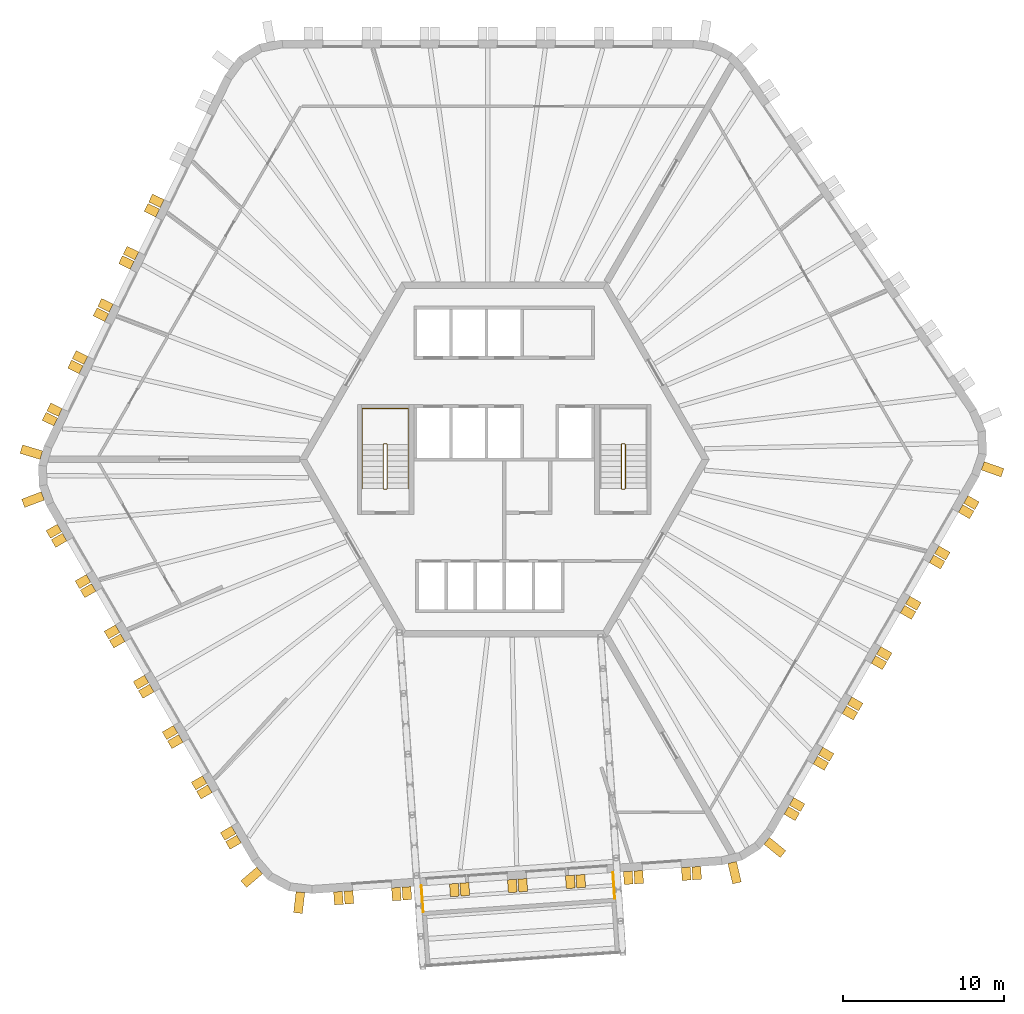
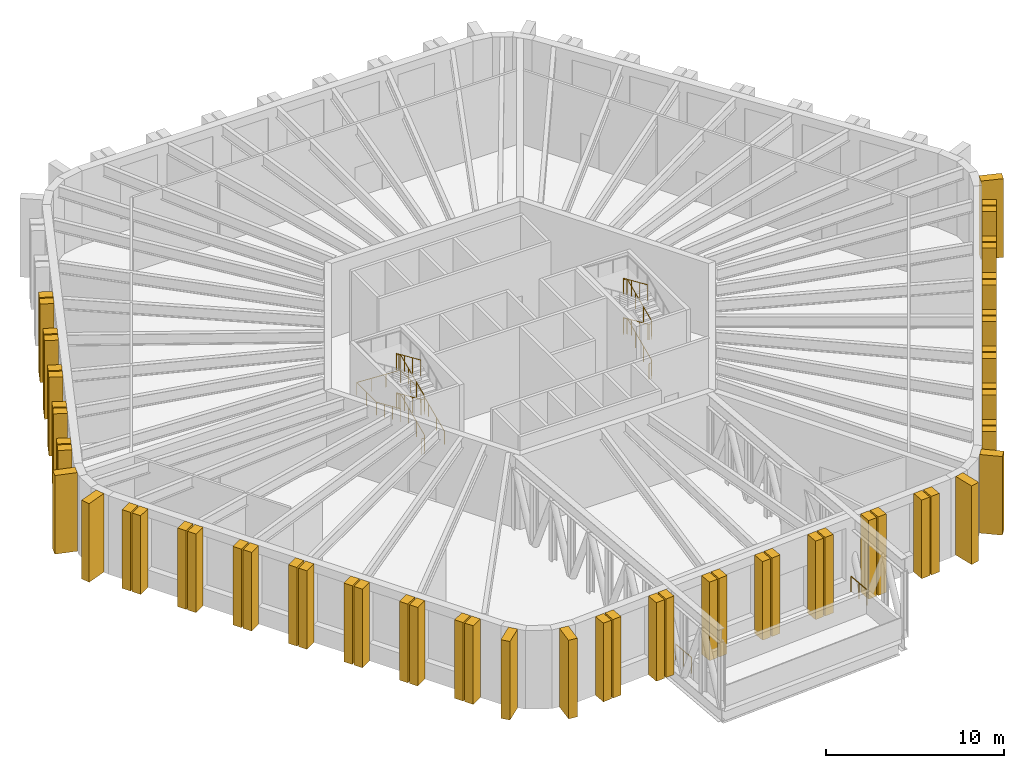
# One storey, part 8 of 9: 59 shading devices, 5 railings.
"""IFC4 building model written with IfcOpenShell, lengths in metres."""

from ifc_helpers import new_model, si_unit, direction, frame, origin, origin_2d, place, context, subcontext, project, spatial, polyline, circle, outline, extrude, material, layer, layer_set, type_object, element, save


model = new_model("IFC4")

# Units and contexts
model_context = context("Model", 3, precision=1e-05, world=origin(), true_north=direction((0.0, 1.0)))
body_context = subcontext(model_context, "Body", "Model", "MODEL_VIEW")
ifc_project = project(units=[si_unit("LENGTHUNIT", "METRE"), si_unit("AREAUNIT", "SQUARE_METRE"), si_unit("VOLUMEUNIT", "CUBIC_METRE"), si_unit("PLANEANGLEUNIT", "RADIAN"), si_unit("MASSUNIT", "GRAM", prefix="KILO")], contexts=[model_context])

# Site, building, storey
site_placement = place(None, origin())
site = spatial("IfcSite", under=ifc_project, at=site_placement, CompositionType="ELEMENT")
building_placement = place(site_placement, origin())
building = spatial("IfcBuilding", under=site, at=building_placement, Name="Tarnside Tower", CompositionType="ELEMENT")
storey_placement = place(building_placement, frame((0.0, 0.0, 338.10009765625)))
storey = spatial("IfcBuildingStorey", under=building, at=storey_placement, Name="L82", CompositionType="ELEMENT", Elevation=338.10009765625)

# Railings
ifc_material_1 = material(Name="Toughened glass", Category="glass")
railing_type_1 = type_object("IfcRailingType", Name="Pool deck guard 1100", PredefinedType="GUARDRAIL", material=ifc_material_1)
railing_1_placement = place(storey_placement, frame((-5.14404296875, -26.423095703125, 0.0)))
element("IfcRailing", 1, at=railing_1_placement, inside=storey, type_object=railing_type_1, Name="Pool deck guard a", PredefinedType="GUARDRAIL", context=body_context, shape_type="SweptSolid", body=[
    extrude(circle(Radius=0.030029296875, at=origin_2d()), frame((0.0, 0.0, 1.070068359375), z_axis=(0.069728915792, -0.997565976917, 0.0), x_axis=(0.997565976917, 0.069728915792, 0.0)), (0.0, 0.0, 1.0), 1.60009765625),
    extrude(circle(Radius=0.02490234375, at=origin_2d()), origin(), (0.0, 0.0, 1.0), 1.0400390625),
    extrude(circle(Radius=0.02490234375, at=origin_2d()), frame((0.0556640625, -0.798095703125, 0.0)), (0.0, 0.0, 1.0), 1.0400390625),
    extrude(circle(Radius=0.02490234375, at=origin_2d()), frame((0.111572265625, -1.59619140625, 0.0)), (0.0, 0.0, 1.0), 1.0400390625),
])
railing_2_placement = place(storey_placement, frame((6.726806640625, -25.593017578125, 0.0)))
element("IfcRailing", 2, at=railing_2_placement, inside=storey, type_object=railing_type_1, Name="Pool deck guard b", PredefinedType="GUARDRAIL", context=body_context, shape_type="SweptSolid", body=[
    extrude(circle(Radius=0.030029296875, at=origin_2d()), frame((0.0, 0.0, 1.070068359375), z_axis=(0.069880751191, -0.997555352155, 0.0), x_axis=(0.997555352155, 0.069880751191, 0.0)), (0.0, 0.0, 1.0), 1.60009765625),
    extrude(circle(Radius=0.02490234375, at=origin_2d()), origin(), (0.0, 0.0, 1.0), 1.0400390625),
    extrude(circle(Radius=0.02490234375, at=origin_2d()), frame((0.055908203125, -0.798095703125, 0.0)), (0.0, 0.0, 1.0), 1.0400390625),
    extrude(circle(Radius=0.02490234375, at=origin_2d()), frame((0.11181640625, -1.59619140625, 0.0)), (0.0, 0.0, 1.0), 1.0400390625),
])

# Shading devices
ifc_material_2 = material(Name="Concrete C50/60 white precast", Category="concrete")
ifc_layer_1 = layer(ifc_material_2, 0.550048828125)
ifc_layer_set_1 = layer_set([ifc_layer_1], Name="Precast fin 550 x 1300")
shading_device_type_1 = type_object("IfcShadingDeviceType", Name="Precast fin 550 x 1300", PredefinedType="USERDEFINED", material=ifc_layer_set_1)
for number, where, z_axis, x_axis, name in (
    (3, (-28.685791015625, 0.263427734375, -0.300048828125), (0.286803232717, 0.957989512314, 0.0), (-0.957989512314, 0.286803232717, 0.0), "Precast fin"),
    (4, (-28.597412109375, -2.263671875, -0.300048828125), (-0.352930564719, 0.935649515837, 0.0), (-0.935649515837, -0.352930564719, 0.0), "Precast fin"),
    (5, (-15.163818359375, -25.4697265625, -0.300048828125), (-0.651657228826, 0.758513583345, 0.0), (-0.758513583345, -0.651657228826, 0.0), "Precast fin"),
    (6, (-12.6357421875, -26.81396484375, -0.300048828125), (-0.993238357741, 0.116092914131, 0.0), (-0.116092914131, -0.993238357741, 0.0), "Precast fin"),
    (7, (14.11474609375, -24.974365234375, -0.300048828125), (-0.973044870581, -0.230615870737, 0.0), (0.230615870737, -0.973044870581, 0.0), "Precast fin"),
    (8, (16.25927734375, -23.63427734375, -0.300048828125), (-0.633830967394, -0.773471592738, 0.0), (0.773471592738, -0.633830967394, 0.0), "Precast fin"),
    (9, (29.639404296875, -0.3974609375, -0.300048828125), (-0.331063417879, -0.943608506396, 0.0), (0.943608506396, -0.331063417879, 0.0), "Precast fin"),
):
    element("IfcShadingDevice", number, at=place(storey_placement, frame(where, z_axis=z_axis, x_axis=x_axis)), inside=storey, type_object=shading_device_type_1, Name=name, ObjectType="FIN", PredefinedType="USERDEFINED", context=body_context, shape_type="SweptSolid", body=[
        extrude(outline(polyline([(0.0, 0.0), (1.300048828125, 0.0), (1.300048828125, 5.39990234375), (0.0, 5.39990234375), (0.0, 0.0)])), frame((0.0, 0.0, -0.27490234375)), (0.0, 0.0, 1.0), 0.550048828125),
    ])
ifc_layer_2 = layer(ifc_material_2, 0.550048828125)
ifc_layer_set_2 = layer_set([ifc_layer_2], Name="Precast fin 550 x 800")
shading_device_type_2 = type_object("IfcShadingDeviceType", Name="Precast fin 550 x 800", PredefinedType="USERDEFINED", material=ifc_layer_set_2)
for number, where, z_axis, x_axis, name in (
    (10, (-21.19873046875, 15.846435546875, -0.300048828125), (0.438371146789, 0.898794046299, 0.0), (-0.898794046299, 0.438371146789, 0.0), "Precast fin"),
    (11, (-21.48388671875, 15.26220703125, -0.300048828125), (0.438371146789, 0.898794046299, 0.0), (-0.898794046299, 0.438371146789, 0.0), "Precast fin"),
    (12, (-22.77685546875, 12.61083984375, -0.300048828125), (0.438371146789, 0.898794046299, 0.0), (-0.898794046299, 0.438371146789, 0.0), "Precast fin"),
    (13, (-23.06201171875, 12.026611328125, -0.300048828125), (0.438371146789, 0.898794046299, 0.0), (-0.898794046299, 0.438371146789, 0.0), "Precast fin"),
    (14, (-24.35498046875, 9.375, -0.300048828125), (0.438371146789, 0.898794046299, 0.0), (-0.898794046299, 0.438371146789, 0.0), "Precast fin"),
    (15, (-24.64013671875, 8.791015625, -0.300048828125), (0.438371146789, 0.898794046299, 0.0), (-0.898794046299, 0.438371146789, 0.0), "Precast fin"),
    (16, (-25.933349609375, 6.139404296875, -0.300048828125), (0.438371146789, 0.898794046299, 0.0), (-0.898794046299, 0.438371146789, 0.0), "Precast fin"),
    (17, (-26.21826171875, 5.55517578125, -0.300048828125), (0.438371146789, 0.898794046299, 0.0), (-0.898794046299, 0.438371146789, 0.0), "Precast fin"),
    (18, (-27.511474609375, 2.90380859375, -0.300048828125), (0.438371146789, 0.898794046299, 0.0), (-0.898794046299, 0.438371146789, 0.0), "Precast fin"),
    (19, (-27.79638671875, 2.319580078125, -0.300048828125), (0.438371146789, 0.898794046299, 0.0), (-0.898794046299, 0.438371146789, 0.0), "Precast fin"),
    (20, (-27.566650390625, -4.2529296875, -0.300048828125), (-0.5, 0.866025403784, 0.0), (-0.866025403784, -0.5, 0.0), "Precast fin"),
    (21, (-27.24169921875, -4.81591796875, -0.300048828125), (-0.5, 0.866025403784, 0.0), (-0.866025403784, -0.5, 0.0), "Precast fin"),
    (22, (-25.766845703125, -7.37060546875, -0.300048828125), (-0.5, 0.866025403784, 0.0), (-0.866025403784, -0.5, 0.0), "Precast fin"),
    (23, (-25.441650390625, -7.93359375, -0.300048828125), (-0.5, 0.866025403784, 0.0), (-0.866025403784, -0.5, 0.0), "Precast fin"),
    (24, (-23.966796875, -10.48828125, -0.300048828125), (-0.5, 0.866025403784, 0.0), (-0.866025403784, -0.5, 0.0), "Precast fin"),
    (25, (-23.641845703125, -11.05126953125, -0.300048828125), (-0.5, 0.866025403784, 0.0), (-0.866025403784, -0.5, 0.0), "Precast fin"),
    (26, (-22.166748046875, -13.60595703125, -0.300048828125), (-0.5, 0.866025403784, 0.0), (-0.866025403784, -0.5, 0.0), "Precast fin"),
    (27, (-21.841796875, -14.1689453125, -0.300048828125), (-0.5, 0.866025403784, 0.0), (-0.866025403784, -0.5, 0.0), "Precast fin"),
    (28, (-20.36669921875, -16.7236328125, -0.300048828125), (-0.5, 0.866025403784, 0.0), (-0.866025403784, -0.5, 0.0), "Precast fin"),
    (29, (-20.041748046875, -17.28662109375, -0.300048828125), (-0.5, 0.866025403784, 0.0), (-0.866025403784, -0.5, 0.0), "Precast fin"),
    (30, (-18.566650390625, -19.84130859375, -0.300048828125), (-0.5, 0.866025403784, 0.0), (-0.866025403784, -0.5, 0.0), "Precast fin"),
    (31, (-18.24169921875, -20.404296875, -0.300048828125), (-0.5, 0.866025403784, 0.0), (-0.866025403784, -0.5, 0.0), "Precast fin"),
    (32, (-16.766845703125, -22.959228515625, -0.300048828125), (-0.5, 0.866025403784, 0.0), (-0.866025403784, -0.5, 0.0), "Precast fin"),
    (33, (-16.441650390625, -23.52197265625, -0.300048828125), (-0.5, 0.866025403784, 0.0), (-0.866025403784, -0.5, 0.0), "Precast fin"),
    (34, (-10.306396484375, -26.7841796875, -0.300048828125), (-0.99756405026, -0.069756473744, 0.0), (0.069756473744, -0.99756405026, 0.0), "Precast fin"),
    (35, (-9.657958984375, -26.73876953125, -0.300048828125), (-0.99756405026, -0.069756473744, 0.0), (0.069756473744, -0.99756405026, 0.0), "Precast fin"),
    (36, (-6.71533203125, -26.532958984375, -0.300048828125), (-0.99756405026, -0.069756473744, 0.0), (0.069756473744, -0.99756405026, 0.0), "Precast fin"),
    (37, (-6.06689453125, -26.48779296875, -0.300048828125), (-0.99756405026, -0.069756473744, 0.0), (0.069756473744, -0.99756405026, 0.0), "Precast fin"),
    (38, (-3.1240234375, -26.281982421875, -0.300048828125), (-0.99756405026, -0.069756473744, 0.0), (0.069756473744, -0.99756405026, 0.0), "Precast fin"),
    (39, (-2.4755859375, -26.236572265625, -0.300048828125), (-0.99756405026, -0.069756473744, 0.0), (0.069756473744, -0.99756405026, 0.0), "Precast fin"),
    (40, (0.46728515625, -26.03076171875, -0.300048828125), (-0.99756405026, -0.069756473744, 0.0), (0.069756473744, -0.99756405026, 0.0), "Precast fin"),
    (41, (1.11572265625, -25.985595703125, -0.300048828125), (-0.99756405026, -0.069756473744, 0.0), (0.069756473744, -0.99756405026, 0.0), "Precast fin"),
    (42, (4.058349609375, -25.77978515625, -0.300048828125), (-0.99756405026, -0.069756473744, 0.0), (0.069756473744, -0.99756405026, 0.0), "Precast fin"),
    (43, (4.706787109375, -25.734375, -0.300048828125), (-0.99756405026, -0.069756473744, 0.0), (0.069756473744, -0.99756405026, 0.0), "Precast fin"),
    (44, (7.649658203125, -25.528564453125, -0.300048828125), (-0.99756405026, -0.069756473744, 0.0), (0.069756473744, -0.99756405026, 0.0), "Precast fin"),
    (45, (8.298095703125, -25.483154296875, -0.300048828125), (-0.99756405026, -0.069756473744, 0.0), (0.069756473744, -0.99756405026, 0.0), "Precast fin"),
    (46, (11.240966796875, -25.27734375, -0.300048828125), (-0.99756405026, -0.069756473744, 0.0), (0.069756473744, -0.99756405026, 0.0), "Precast fin"),
    (47, (11.889404296875, -25.232177734375, -0.300048828125), (-0.99756405026, -0.069756473744, 0.0), (0.069756473744, -0.99756405026, 0.0), "Precast fin"),
    (48, (17.466552734375, -21.7470703125, -0.300048828125), (-0.5, -0.866025403784, 0.0), (0.866025403784, -0.5, 0.0), "Precast fin"),
    (49, (17.79150390625, -21.18408203125, -0.300048828125), (-0.5, -0.866025403784, 0.0), (0.866025403784, -0.5, 0.0), "Precast fin"),
    (50, (19.2666015625, -18.62939453125, -0.300048828125), (-0.5, -0.866025403784, 0.0), (0.866025403784, -0.5, 0.0), "Precast fin"),
    (51, (19.591552734375, -18.06640625, -0.300048828125), (-0.5, -0.866025403784, 0.0), (0.866025403784, -0.5, 0.0), "Precast fin"),
    (52, (21.066650390625, -15.51171875, -0.300048828125), (-0.5, -0.866025403784, 0.0), (0.866025403784, -0.5, 0.0), "Precast fin"),
    (53, (21.3916015625, -14.94873046875, -0.300048828125), (-0.5, -0.866025403784, 0.0), (0.866025403784, -0.5, 0.0), "Precast fin"),
    (54, (22.866455078125, -12.39404296875, -0.300048828125), (-0.5, -0.866025403784, 0.0), (0.866025403784, -0.5, 0.0), "Precast fin"),
    (55, (23.191650390625, -11.8310546875, -0.300048828125), (-0.5, -0.866025403784, 0.0), (0.866025403784, -0.5, 0.0), "Precast fin"),
    (56, (24.66650390625, -9.2763671875, -0.300048828125), (-0.5, -0.866025403784, 0.0), (0.866025403784, -0.5, 0.0), "Precast fin"),
    (57, (24.991455078125, -8.71337890625, -0.300048828125), (-0.5, -0.866025403784, 0.0), (0.866025403784, -0.5, 0.0), "Precast fin"),
    (58, (26.466552734375, -6.15869140625, -0.300048828125), (-0.5, -0.866025403784, 0.0), (0.866025403784, -0.5, 0.0), "Precast fin"),
    (59, (26.79150390625, -5.595703125, -0.300048828125), (-0.5, -0.866025403784, 0.0), (0.866025403784, -0.5, 0.0), "Precast fin"),
    (60, (28.2666015625, -3.040771484375, -0.300048828125), (-0.5, -0.866025403784, 0.0), (0.866025403784, -0.5, 0.0), "Precast fin"),
    (61, (28.591552734375, -2.47802734375, -0.300048828125), (-0.5, -0.866025403784, 0.0), (0.866025403784, -0.5, 0.0), "Precast fin"),
):
    element("IfcShadingDevice", number, at=place(storey_placement, frame(where, z_axis=z_axis, x_axis=x_axis)), inside=storey, type_object=shading_device_type_2, Name=name, ObjectType="FIN", PredefinedType="USERDEFINED", context=body_context, shape_type="SweptSolid", body=[
        extrude(outline(polyline([(0.0, 0.0), (0.800048828125, 0.0), (0.800048828125, 5.39990234375), (0.0, 5.39990234375), (0.0, 0.0)])), frame((0.0, 0.0, -0.27490234375)), (0.0, 0.0, 1.0), 0.550048828125),
    ])

# Railings
ifc_material_3 = material(Name="Stainless steel", Category="steel")
railing_type_2 = type_object("IfcRailingType", Name="Stair guard 1100", PredefinedType="GUARDRAIL", material=ifc_material_3)
railing_3_placement = place(storey_placement, frame((7.300048828125, -1.85009765625, 0.0)))
element("IfcRailing", 62, at=railing_3_placement, inside=storey, type_object=railing_type_2, Name="L82 ST1 stair guard 1", PredefinedType="GUARDRAIL", context=body_context, shape_type="SweptSolid", body=[
    extrude(circle(Radius=0.02392578125, at=origin_2d()), frame((0.0, 0.0, 1.076171875), z_axis=(1.0, 0.0, 0.0), x_axis=(0.0, 1.0, 0.0)), (0.0, 0.0, 1.0), 0.14990234375),
    extrude(circle(Radius=0.02392578125, at=origin_2d()), frame((0.14990234375, 0.0, 1.076171875), z_axis=(0.301912943143, 0.301912943143, 0.904266083366), x_axis=(-0.707106781187, 0.707106781187, 0.0)), (0.0, 0.0, 1.0), 0.165771484375),
    extrude(circle(Radius=0.02392578125, at=origin_2d()), frame((0.199951171875, 0.050048828125, 1.22607421875), z_axis=(0.0, 0.914922261443, 0.403630097387), x_axis=(-1.0, 0.0, 0.0)), (0.0, 0.0, 1.0), 2.972900390625),
    extrude(circle(Radius=0.02392578125, at=origin_2d()), frame((0.199951171875, 2.77001953125, 2.42578125), z_axis=(-0.707106781187, 0.707106781187, 0.0), x_axis=(-0.707106781187, -0.707106781187, 0.0)), (0.0, 0.0, 1.0), 0.07080078125),
    extrude(circle(Radius=0.02392578125, at=origin_2d()), frame((0.14990234375, 2.820068359375, 2.42578125), z_axis=(-1.0, 0.0, 0.0), x_axis=(0.0, -1.0, 0.0)), (0.0, 0.0, 1.0), 0.14990234375),
    extrude(circle(Radius=0.02392578125, at=origin_2d()), frame((0.0, 2.820068359375, 2.42578125), z_axis=(-0.301511344578, -0.301511344578, 0.904534033733), x_axis=(0.707106781187, -0.707106781187, 0.0)), (0.0, 0.0, 1.0), 0.166015625),
    extrude(circle(Radius=0.02392578125, at=origin_2d()), frame((-0.050048828125, 2.77001953125, 2.576171875), z_axis=(0.0, -0.914922261443, 0.403630097387), x_axis=(1.0, 0.0, 0.0)), (0.0, 0.0, 1.0), 2.972900390625),
    extrude(circle(Radius=0.02392578125, at=origin_2d()), frame((-0.050048828125, 0.050048828125, 3.77587890625), z_axis=(0.707106781187, -0.707106781187, 0.0), x_axis=(0.707106781187, 0.707106781187, 0.0)), (0.0, 0.0, 1.0), 0.07080078125),
    extrude(circle(Radius=0.02392578125, at=origin_2d()), frame((0.0, 0.0, 3.77587890625), z_axis=(1.0, 0.0, 0.0), x_axis=(0.0, 1.0, 0.0)), (0.0, 0.0, 1.0), 0.14990234375),
    extrude(circle(Radius=0.02392578125, at=origin_2d()), frame((0.14990234375, 0.0, 3.77587890625), z_axis=(0.301912943143, 0.301912943143, 0.904266083366), x_axis=(-0.707106781187, 0.707106781187, 0.0)), (0.0, 0.0, 1.0), 0.165771484375),
    extrude(circle(Radius=0.02392578125, at=origin_2d()), frame((0.199951171875, 0.050048828125, 3.92578125), z_axis=(0.0, 0.914922261443, 0.403630097387), x_axis=(-1.0, 0.0, 0.0)), (0.0, 0.0, 1.0), 2.972900390625),
    extrude(circle(Radius=0.02392578125, at=origin_2d()), frame((0.199951171875, 2.77001953125, 5.1259765625), z_axis=(-0.707106781187, 0.707106781187, 0.0), x_axis=(-0.707106781187, -0.707106781187, 0.0)), (0.0, 0.0, 1.0), 0.07080078125),
    extrude(circle(Radius=0.02392578125, at=origin_2d()), frame((0.14990234375, 2.820068359375, 5.1259765625), z_axis=(-1.0, 0.0, 0.0), x_axis=(0.0, -1.0, 0.0)), (0.0, 0.0, 1.0), 0.14990234375),
    extrude(circle(Radius=0.02392578125, at=origin_2d()), frame((0.0, 2.820068359375, 5.1259765625), z_axis=(-0.301511344578, -0.301511344578, 0.904534033733), x_axis=(0.707106781187, -0.707106781187, 0.0)), (0.0, 0.0, 1.0), 0.166015625),
    extrude(circle(Radius=0.02392578125, at=origin_2d()), frame((-0.050048828125, 2.77001953125, 5.27587890625), z_axis=(0.0, -0.914922261443, 0.403630097387), x_axis=(1.0, 0.0, 0.0)), (0.0, 0.0, 1.0), 2.972900390625),
    extrude(circle(Radius=0.02099609375, at=origin_2d()), origin(), (0.0, 0.0, 1.0), 1.052001953125),
    extrude(circle(Radius=0.02099609375, at=origin_2d()), frame((0.14990234375, 0.0, 0.0)), (0.0, 0.0, 1.0), 1.052001953125),
    extrude(circle(Radius=0.02099609375, at=origin_2d()), frame((0.199951171875, 0.050048828125, 0.14990234375)), (0.0, 0.0, 1.0), 1.052001953125),
    extrude(circle(Radius=0.02099609375, at=origin_2d()), frame((0.199951171875, 0.956787109375, 0.5498046875)), (0.0, 0.0, 1.0), 1.052001953125),
    extrude(circle(Radius=0.02099609375, at=origin_2d()), frame((0.199951171875, 1.86328125, 0.949951171875)), (0.0, 0.0, 1.0), 1.052001953125),
    extrude(circle(Radius=0.02099609375, at=origin_2d()), frame((0.199951171875, 2.77001953125, 1.349853515625)), (0.0, 0.0, 1.0), 1.052001953125),
    extrude(circle(Radius=0.02099609375, at=origin_2d()), frame((0.14990234375, 2.820068359375, 1.349853515625)), (0.0, 0.0, 1.0), 1.052001953125),
    extrude(circle(Radius=0.02099609375, at=origin_2d()), frame((0.0, 2.820068359375, 1.349853515625)), (0.0, 0.0, 1.0), 1.052001953125),
    extrude(circle(Radius=0.02099609375, at=origin_2d()), frame((-0.050048828125, 2.77001953125, 1.5)), (0.0, 0.0, 1.0), 1.052001953125),
    extrude(circle(Radius=0.02099609375, at=origin_2d()), frame((-0.050048828125, 1.86328125, 1.89990234375)), (0.0, 0.0, 1.0), 1.052001953125),
    extrude(circle(Radius=0.02099609375, at=origin_2d()), frame((-0.050048828125, 0.956787109375, 2.300048828125)), (0.0, 0.0, 1.0), 1.052001953125),
    extrude(circle(Radius=0.02099609375, at=origin_2d()), frame((-0.050048828125, 0.050048828125, 2.699951171875)), (0.0, 0.0, 1.0), 1.052001953125),
    extrude(circle(Radius=0.02099609375, at=origin_2d()), frame((0.0, 0.0, 2.699951171875)), (0.0, 0.0, 1.0), 1.052001953125),
    extrude(circle(Radius=0.02099609375, at=origin_2d()), frame((0.14990234375, 0.0, 2.699951171875)), (0.0, 0.0, 1.0), 1.052001953125),
    extrude(circle(Radius=0.02099609375, at=origin_2d()), frame((0.199951171875, 0.050048828125, 2.849853515625)), (0.0, 0.0, 1.0), 1.052001953125),
    extrude(circle(Radius=0.02099609375, at=origin_2d()), frame((0.199951171875, 0.956787109375, 3.249755859375)), (0.0, 0.0, 1.0), 1.052001953125),
    extrude(circle(Radius=0.02099609375, at=origin_2d()), frame((0.199951171875, 1.86328125, 3.64990234375)), (0.0, 0.0, 1.0), 1.052001953125),
    extrude(circle(Radius=0.02099609375, at=origin_2d()), frame((0.199951171875, 2.77001953125, 4.0498046875)), (0.0, 0.0, 1.0), 1.052001953125),
    extrude(circle(Radius=0.02099609375, at=origin_2d()), frame((0.14990234375, 2.820068359375, 4.0498046875)), (0.0, 0.0, 1.0), 1.052001953125),
    extrude(circle(Radius=0.02099609375, at=origin_2d()), frame((0.0, 2.820068359375, 4.0498046875)), (0.0, 0.0, 1.0), 1.052001953125),
    extrude(circle(Radius=0.02099609375, at=origin_2d()), frame((-0.050048828125, 2.77001953125, 4.199951171875)), (0.0, 0.0, 1.0), 1.052001953125),
    extrude(circle(Radius=0.02099609375, at=origin_2d()), frame((-0.050048828125, 1.86328125, 4.599853515625)), (0.0, 0.0, 1.0), 1.052001953125),
    extrude(circle(Radius=0.02099609375, at=origin_2d()), frame((-0.050048828125, 0.956787109375, 5.0)), (0.0, 0.0, 1.0), 1.052001953125),
    extrude(circle(Radius=0.02099609375, at=origin_2d()), frame((-0.050048828125, 0.050048828125, 5.39990234375)), (0.0, 0.0, 1.0), 1.052001953125),
])
railing_4_placement = place(storey_placement, frame((-7.449951171875, -1.85009765625, 0.0)))
element("IfcRailing", 63, at=railing_4_placement, inside=storey, type_object=railing_type_2, Name="L82 ST2 stair guard 1", PredefinedType="GUARDRAIL", context=body_context, shape_type="SweptSolid", body=[
    extrude(circle(Radius=0.02392578125, at=origin_2d()), frame((0.0, 0.0, 1.076171875), z_axis=(1.0, 0.0, 0.0), x_axis=(0.0, 1.0, 0.0)), (0.0, 0.0, 1.0), 0.14990234375),
    extrude(circle(Radius=0.02392578125, at=origin_2d()), frame((0.14990234375, 0.0, 1.076171875), z_axis=(0.301912943143, 0.301912943143, 0.904266083366), x_axis=(-0.707106781187, 0.707106781187, 0.0)), (0.0, 0.0, 1.0), 0.165771484375),
    extrude(circle(Radius=0.02392578125, at=origin_2d()), frame((0.199951171875, 0.050048828125, 1.22607421875), z_axis=(0.0, 0.914922261443, 0.403630097387), x_axis=(-1.0, 0.0, 0.0)), (0.0, 0.0, 1.0), 2.972900390625),
    extrude(circle(Radius=0.02392578125, at=origin_2d()), frame((0.199951171875, 2.77001953125, 2.42578125), z_axis=(-0.707106781187, 0.707106781187, 0.0), x_axis=(-0.707106781187, -0.707106781187, 0.0)), (0.0, 0.0, 1.0), 0.07080078125),
    extrude(circle(Radius=0.02392578125, at=origin_2d()), frame((0.14990234375, 2.820068359375, 2.42578125), z_axis=(-1.0, 0.0, 0.0), x_axis=(0.0, -1.0, 0.0)), (0.0, 0.0, 1.0), 0.14990234375),
    extrude(circle(Radius=0.02392578125, at=origin_2d()), frame((0.0, 2.820068359375, 2.42578125), z_axis=(-0.301511344578, -0.301511344578, 0.904534033733), x_axis=(0.707106781187, -0.707106781187, 0.0)), (0.0, 0.0, 1.0), 0.166015625),
    extrude(circle(Radius=0.02392578125, at=origin_2d()), frame((-0.050048828125, 2.77001953125, 2.576171875), z_axis=(0.0, -0.914922261443, 0.403630097387), x_axis=(1.0, 0.0, 0.0)), (0.0, 0.0, 1.0), 2.972900390625),
    extrude(circle(Radius=0.02392578125, at=origin_2d()), frame((-0.050048828125, 0.050048828125, 3.77587890625), z_axis=(0.707106781187, -0.707106781187, 0.0), x_axis=(0.707106781187, 0.707106781187, 0.0)), (0.0, 0.0, 1.0), 0.07080078125),
    extrude(circle(Radius=0.02392578125, at=origin_2d()), frame((0.0, 0.0, 3.77587890625), z_axis=(1.0, 0.0, 0.0), x_axis=(0.0, 1.0, 0.0)), (0.0, 0.0, 1.0), 0.14990234375),
    extrude(circle(Radius=0.02392578125, at=origin_2d()), frame((0.14990234375, 0.0, 3.77587890625), z_axis=(0.301912943143, 0.301912943143, 0.904266083366), x_axis=(-0.707106781187, 0.707106781187, 0.0)), (0.0, 0.0, 1.0), 0.165771484375),
    extrude(circle(Radius=0.02392578125, at=origin_2d()), frame((0.199951171875, 0.050048828125, 3.92578125), z_axis=(0.0, 0.914922261443, 0.403630097387), x_axis=(-1.0, 0.0, 0.0)), (0.0, 0.0, 1.0), 2.972900390625),
    extrude(circle(Radius=0.02392578125, at=origin_2d()), frame((0.199951171875, 2.77001953125, 5.1259765625), z_axis=(-0.707106781187, 0.707106781187, 0.0), x_axis=(-0.707106781187, -0.707106781187, 0.0)), (0.0, 0.0, 1.0), 0.07080078125),
    extrude(circle(Radius=0.02392578125, at=origin_2d()), frame((0.14990234375, 2.820068359375, 5.1259765625), z_axis=(-1.0, 0.0, 0.0), x_axis=(0.0, -1.0, 0.0)), (0.0, 0.0, 1.0), 0.14990234375),
    extrude(circle(Radius=0.02392578125, at=origin_2d()), frame((0.0, 2.820068359375, 5.1259765625), z_axis=(-0.301511344578, -0.301511344578, 0.904534033733), x_axis=(0.707106781187, -0.707106781187, 0.0)), (0.0, 0.0, 1.0), 0.166015625),
    extrude(circle(Radius=0.02392578125, at=origin_2d()), frame((-0.050048828125, 2.77001953125, 5.27587890625), z_axis=(0.0, -0.914922261443, 0.403630097387), x_axis=(1.0, 0.0, 0.0)), (0.0, 0.0, 1.0), 2.972900390625),
    extrude(circle(Radius=0.02099609375, at=origin_2d()), origin(), (0.0, 0.0, 1.0), 1.052001953125),
    extrude(circle(Radius=0.02099609375, at=origin_2d()), frame((0.14990234375, 0.0, 0.0)), (0.0, 0.0, 1.0), 1.052001953125),
    extrude(circle(Radius=0.02099609375, at=origin_2d()), frame((0.199951171875, 0.050048828125, 0.14990234375)), (0.0, 0.0, 1.0), 1.052001953125),
    extrude(circle(Radius=0.02099609375, at=origin_2d()), frame((0.199951171875, 0.956787109375, 0.5498046875)), (0.0, 0.0, 1.0), 1.052001953125),
    extrude(circle(Radius=0.02099609375, at=origin_2d()), frame((0.199951171875, 1.86328125, 0.949951171875)), (0.0, 0.0, 1.0), 1.052001953125),
    extrude(circle(Radius=0.02099609375, at=origin_2d()), frame((0.199951171875, 2.77001953125, 1.349853515625)), (0.0, 0.0, 1.0), 1.052001953125),
    extrude(circle(Radius=0.02099609375, at=origin_2d()), frame((0.14990234375, 2.820068359375, 1.349853515625)), (0.0, 0.0, 1.0), 1.052001953125),
    extrude(circle(Radius=0.02099609375, at=origin_2d()), frame((0.0, 2.820068359375, 1.349853515625)), (0.0, 0.0, 1.0), 1.052001953125),
    extrude(circle(Radius=0.02099609375, at=origin_2d()), frame((-0.050048828125, 2.77001953125, 1.5)), (0.0, 0.0, 1.0), 1.052001953125),
    extrude(circle(Radius=0.02099609375, at=origin_2d()), frame((-0.050048828125, 1.86328125, 1.89990234375)), (0.0, 0.0, 1.0), 1.052001953125),
    extrude(circle(Radius=0.02099609375, at=origin_2d()), frame((-0.050048828125, 0.956787109375, 2.300048828125)), (0.0, 0.0, 1.0), 1.052001953125),
    extrude(circle(Radius=0.02099609375, at=origin_2d()), frame((-0.050048828125, 0.050048828125, 2.699951171875)), (0.0, 0.0, 1.0), 1.052001953125),
    extrude(circle(Radius=0.02099609375, at=origin_2d()), frame((0.0, 0.0, 2.699951171875)), (0.0, 0.0, 1.0), 1.052001953125),
    extrude(circle(Radius=0.02099609375, at=origin_2d()), frame((0.14990234375, 0.0, 2.699951171875)), (0.0, 0.0, 1.0), 1.052001953125),
    extrude(circle(Radius=0.02099609375, at=origin_2d()), frame((0.199951171875, 0.050048828125, 2.849853515625)), (0.0, 0.0, 1.0), 1.052001953125),
    extrude(circle(Radius=0.02099609375, at=origin_2d()), frame((0.199951171875, 0.956787109375, 3.249755859375)), (0.0, 0.0, 1.0), 1.052001953125),
    extrude(circle(Radius=0.02099609375, at=origin_2d()), frame((0.199951171875, 1.86328125, 3.64990234375)), (0.0, 0.0, 1.0), 1.052001953125),
    extrude(circle(Radius=0.02099609375, at=origin_2d()), frame((0.199951171875, 2.77001953125, 4.0498046875)), (0.0, 0.0, 1.0), 1.052001953125),
    extrude(circle(Radius=0.02099609375, at=origin_2d()), frame((0.14990234375, 2.820068359375, 4.0498046875)), (0.0, 0.0, 1.0), 1.052001953125),
    extrude(circle(Radius=0.02099609375, at=origin_2d()), frame((0.0, 2.820068359375, 4.0498046875)), (0.0, 0.0, 1.0), 1.052001953125),
    extrude(circle(Radius=0.02099609375, at=origin_2d()), frame((-0.050048828125, 2.77001953125, 4.199951171875)), (0.0, 0.0, 1.0), 1.052001953125),
    extrude(circle(Radius=0.02099609375, at=origin_2d()), frame((-0.050048828125, 1.86328125, 4.599853515625)), (0.0, 0.0, 1.0), 1.052001953125),
    extrude(circle(Radius=0.02099609375, at=origin_2d()), frame((-0.050048828125, 0.956787109375, 5.0)), (0.0, 0.0, 1.0), 1.052001953125),
    extrude(circle(Radius=0.02099609375, at=origin_2d()), frame((-0.050048828125, 0.050048828125, 5.39990234375)), (0.0, 0.0, 1.0), 1.052001953125),
])
railing_type_3 = type_object("IfcRailingType", Name="Stair handrail 900", PredefinedType="HANDRAIL", material=ifc_material_3)
railing_5_placement = place(storey_placement, frame((-5.949951171875, -1.800048828125, 0.14990234375)))
element("IfcRailing", 64, at=railing_5_placement, inside=storey, type_object=railing_type_3, Name="L82 ST2 stair handrail 1", PredefinedType="HANDRAIL", context=body_context, shape_type="SweptSolid", body=[
    extrude(circle(Radius=0.02392578125, at=origin_2d()), frame((0.0, 0.0, 0.8857421875), z_axis=(0.0, 0.914922261443, 0.403630097387), x_axis=(-1.0, 0.0, 0.0)), (0.0, 0.0, 1.0), 2.972900390625),
    extrude(circle(Radius=0.02392578125, at=origin_2d()), frame((0.0, 2.719970703125, 2.0859375), z_axis=(0.0, 1.0, 0.0), x_axis=(-1.0, 0.0, 0.0)), (0.0, 0.0, 1.0), 2.22998046875),
    extrude(circle(Radius=0.02392578125, at=origin_2d()), frame((0.0, 4.949951171875, 2.0859375), z_axis=(-0.998615228774, 0.0, 0.052608220464), x_axis=(0.0, -1.0, 0.0)), (0.0, 0.0, 1.0), 2.85400390625),
    extrude(circle(Radius=0.02392578125, at=origin_2d()), frame((-2.85009765625, 4.949951171875, 2.23583984375), z_axis=(0.0, -1.0, 0.0), x_axis=(1.0, 0.0, 0.0)), (0.0, 0.0, 1.0), 2.22998046875),
    extrude(circle(Radius=0.02392578125, at=origin_2d()), frame((-2.85009765625, 2.719970703125, 2.23583984375), z_axis=(0.0, -0.914922261443, 0.403630097387), x_axis=(1.0, 0.0, 0.0)), (0.0, 0.0, 1.0), 2.972900390625),
    extrude(circle(Radius=0.02099609375, at=origin_2d()), origin(), (0.0, 0.0, 1.0), 0.86181640625),
    extrude(circle(Radius=0.02099609375, at=origin_2d()), frame((0.0, 0.90673828125, 0.39990234375)), (0.0, 0.0, 1.0), 0.86181640625),
    extrude(circle(Radius=0.02099609375, at=origin_2d()), frame((0.0, 1.813232421875, 0.800048828125)), (0.0, 0.0, 1.0), 0.86181640625),
    extrude(circle(Radius=0.02099609375, at=origin_2d()), frame((0.0, 2.719970703125, 1.199951171875)), (0.0, 0.0, 1.0), 0.86181640625),
    extrude(circle(Radius=0.02099609375, at=origin_2d()), frame((0.0, 3.8349609375, 1.199951171875)), (0.0, 0.0, 1.0), 0.86181640625),
    extrude(circle(Radius=0.02099609375, at=origin_2d()), frame((0.0, 4.949951171875, 1.199951171875)), (0.0, 0.0, 1.0), 0.86181640625),
    extrude(circle(Radius=0.02099609375, at=origin_2d()), frame((-0.949951171875, 4.949951171875, 1.25)), (0.0, 0.0, 1.0), 0.86181640625),
    extrude(circle(Radius=0.02099609375, at=origin_2d()), frame((-1.900146484375, 4.949951171875, 1.300048828125)), (0.0, 0.0, 1.0), 0.86181640625),
    extrude(circle(Radius=0.02099609375, at=origin_2d()), frame((-2.85009765625, 4.949951171875, 1.35009765625)), (0.0, 0.0, 1.0), 0.86181640625),
    extrude(circle(Radius=0.02099609375, at=origin_2d()), frame((-2.85009765625, 3.8349609375, 1.35009765625)), (0.0, 0.0, 1.0), 0.86181640625),
    extrude(circle(Radius=0.02099609375, at=origin_2d()), frame((-2.85009765625, 2.719970703125, 1.35009765625)), (0.0, 0.0, 1.0), 0.86181640625),
    extrude(circle(Radius=0.02099609375, at=origin_2d()), frame((-2.85009765625, 1.813232421875, 1.75)), (0.0, 0.0, 1.0), 0.86181640625),
    extrude(circle(Radius=0.02099609375, at=origin_2d()), frame((-2.85009765625, 0.90673828125, 2.150146484375)), (0.0, 0.0, 1.0), 0.86181640625),
    extrude(circle(Radius=0.02099609375, at=origin_2d()), frame((-2.85009765625, 0.0, 2.550048828125)), (0.0, 0.0, 1.0), 0.86181640625),
])

save(model, "model.ifc")
